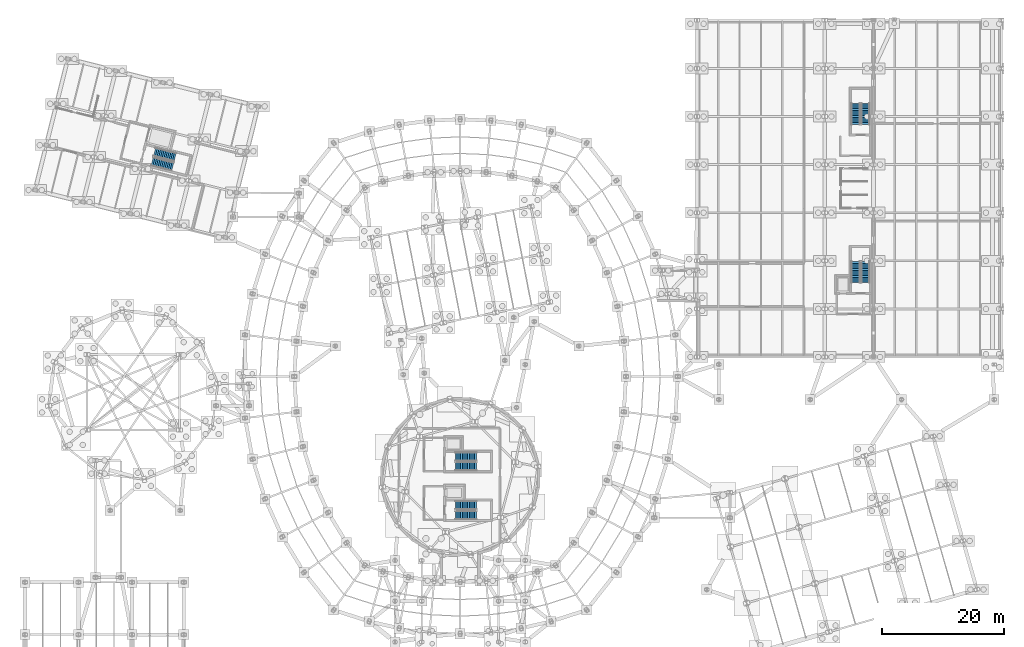
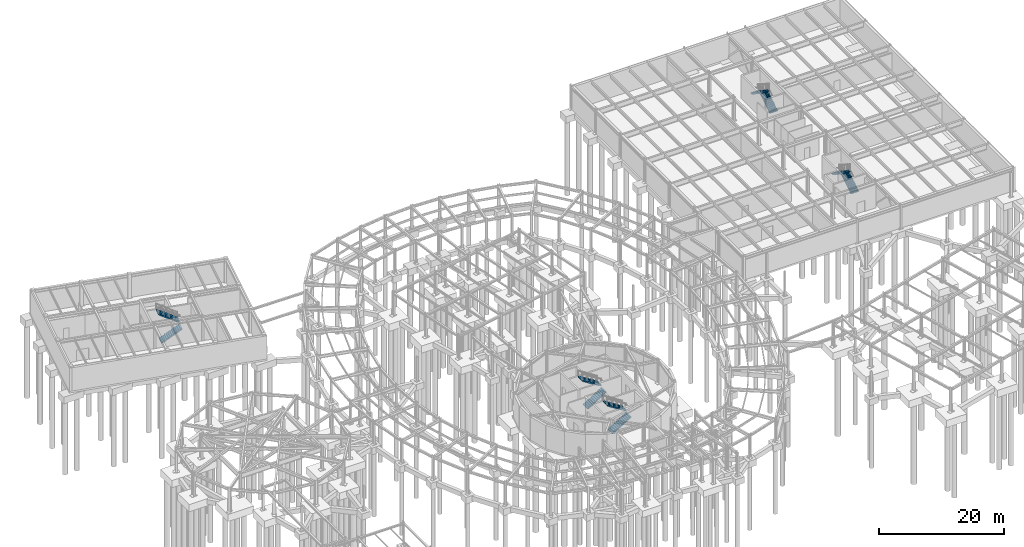
# One storey, part 46 of 50: 10 stair flights, 5 elements without a shape of their own.
"""IFC4 building model written with IfcOpenShell, lengths in metres."""

from ifc_helpers import new_model, si_unit, direction, frame, origin, place, context, subcontext, project, spatial, polyline, outline, extrude, material, type_object, element, aggregate, save


model = new_model("IFC4")

# Units and contexts
model_context = context("Model", 3, precision=1e-05, world=origin(), true_north=direction((0.0, 1.0)))
body_context = subcontext(model_context, "Body", "Model", "MODEL_VIEW")
ifc_project = project(units=[si_unit("LENGTHUNIT", "METRE"), si_unit("AREAUNIT", "SQUARE_METRE"), si_unit("VOLUMEUNIT", "CUBIC_METRE"), si_unit("PLANEANGLEUNIT", "RADIAN"), si_unit("MASSUNIT", "GRAM", prefix="KILO")], contexts=[model_context])

# Site, building, storey
site_placement = place(None, origin())
site = spatial("IfcSite", under=ifc_project, at=site_placement, CompositionType="ELEMENT")
building_placement = place(site_placement, origin())
building = spatial("IfcBuilding", under=site, at=building_placement, Name="Varnklinge Art Gallery", CompositionType="ELEMENT")
storey_placement = place(building_placement, frame((0.0, 0.0, -4.800048828125)))
storey = spatial("IfcBuildingStorey", under=building, at=storey_placement, Name="B01", CompositionType="ELEMENT", Elevation=-4.800048828125)

# Stair, stair flights
ifc_material_1 = material(Name="Concrete C40/50", Category="concrete")
stair_type = type_object("IfcStairType", Name="STR-C4800", PredefinedType="HALF_TURN_STAIR", material=ifc_material_1)
stair_1_placement = place(storey_placement, origin())
stair_1 = element("IfcStair", 1, at=stair_1_placement, inside=storey, type_object=stair_type, Name="B01 Core C1 Stair ST-01", PredefinedType="HALF_TURN_STAIR")
ifc_material_2 = material(Name="Concrete C40/50", Category="concrete")
stair_flight_type = type_object("IfcStairFlightType", Name="FLT-C4800", PredefinedType="STRAIGHT", material=ifc_material_2)
stair_flight_1_placement = place(storey_placement, frame((74.699951171875, 32.22509765625, 0.0), z_axis=(0.0, 0.0, 1.0), x_axis=(1.0, 0.0, 0.0)))
stair_flight_1 = element("IfcStairFlight", 2, at=stair_flight_1_placement, type_object=stair_flight_type, Name="ST-01 flight 1", NumberOfRisers=13, NumberOfTreads=12, PredefinedType="STRAIGHT", RiserHeight=0.184615385, TreadLength=0.29, context=body_context, shape_type="SweptSolid", body=[
    extrude(outline(polyline([(0.0, 0.0), (0.0, 0.1845703125), (0.2900390625, 0.1845703125), (0.2900390625, 0.369140625), (0.580078125, 0.369140625), (0.580078125, 0.553955078125), (0.8701171875, 0.553955078125), (0.8701171875, 0.738525390625), (1.159912109375, 0.738525390625), (1.159912109375, 0.923095703125), (1.449951171875, 0.923095703125), (1.449951171875, 1.107666015625), (1.739990234375, 1.107666015625), (1.739990234375, 1.292236328125), (2.030029296875, 1.292236328125), (2.030029296875, 1.476806640625), (2.320068359375, 1.476806640625), (2.320068359375, 1.66162109375), (2.610107421875, 1.66162109375), (2.610107421875, 1.84619140625), (2.89990234375, 1.84619140625), (2.89990234375, 2.03076171875), (3.18994140625, 2.03076171875), (3.18994140625, 2.21533203125), (3.47998046875, 2.21533203125), (3.47998046875, 2.39990234375), (3.47998046875, 2.02587890625), (0.2978515625, 0.0), (0.0, 0.0)])), frame((0.0, 0.72509765625, 0.0), z_axis=(0.0, -1.0, 0.0), x_axis=(1.0, 0.0, 0.0)), (0.0, 0.0, 1.0), 1.449951171875),
])
stair_flight_2_placement = place(storey_placement, frame((78.179931640625, 33.8349609375, 2.400146484375), z_axis=(0.0, 0.0, 1.0), x_axis=(-1.0, 0.0, 0.0)))
stair_flight_2 = element("IfcStairFlight", 3, at=stair_flight_2_placement, type_object=stair_flight_type, Name="ST-01 flight 2", NumberOfRisers=13, NumberOfTreads=12, PredefinedType="STRAIGHT", RiserHeight=0.184615385, TreadLength=0.29, context=body_context, shape_type="SweptSolid", body=[
    extrude(outline(polyline([(0.0, 0.0), (0.0, 0.1845703125), (0.2900390625, 0.1845703125), (0.2900390625, 0.369140625), (0.580078125, 0.369140625), (0.580078125, 0.553955078125), (0.8701171875, 0.553955078125), (0.8701171875, 0.738525390625), (1.159912109375, 0.738525390625), (1.159912109375, 0.923095703125), (1.449951171875, 0.923095703125), (1.449951171875, 1.107666015625), (1.739990234375, 1.107666015625), (1.739990234375, 1.292236328125), (2.030029296875, 1.292236328125), (2.030029296875, 1.476806640625), (2.320068359375, 1.476806640625), (2.320068359375, 1.66162109375), (2.610107421875, 1.66162109375), (2.610107421875, 1.84619140625), (2.89990234375, 1.84619140625), (2.89990234375, 2.03076171875), (3.18994140625, 2.03076171875), (3.18994140625, 2.21533203125), (3.47998046875, 2.21533203125), (3.47998046875, 2.39990234375), (3.47998046875, 2.02587890625), (0.2978515625, 0.0), (0.0, 0.0)])), frame((0.0, 0.72509765625, 0.0), z_axis=(0.0, -1.0, 0.0), x_axis=(1.0, 0.0, 0.0)), (0.0, 0.0, 1.0), 1.449951171875),
])
aggregate(stair_1, [stair_flight_1, stair_flight_2])

stair_2_placement = place(storey_placement, origin())
stair_2 = element("IfcStair", 4, at=stair_2_placement, inside=storey, type_object=stair_type, Name="B01 Core C2 Stair ST-02", PredefinedType="HALF_TURN_STAIR")
stair_flight_3_placement = place(storey_placement, frame((74.699951171875, 40.22509765625, 0.0), z_axis=(0.0, 0.0, 1.0), x_axis=(1.0, 0.0, 0.0)))
stair_flight_3 = element("IfcStairFlight", 5, at=stair_flight_3_placement, type_object=stair_flight_type, Name="ST-02 flight 1", NumberOfRisers=13, NumberOfTreads=12, PredefinedType="STRAIGHT", RiserHeight=0.184615385, TreadLength=0.29, context=body_context, shape_type="SweptSolid", body=[
    extrude(outline(polyline([(0.0, 0.0), (0.0, 0.1845703125), (0.2900390625, 0.1845703125), (0.2900390625, 0.369140625), (0.580078125, 0.369140625), (0.580078125, 0.553955078125), (0.8701171875, 0.553955078125), (0.8701171875, 0.738525390625), (1.159912109375, 0.738525390625), (1.159912109375, 0.923095703125), (1.449951171875, 0.923095703125), (1.449951171875, 1.107666015625), (1.739990234375, 1.107666015625), (1.739990234375, 1.292236328125), (2.030029296875, 1.292236328125), (2.030029296875, 1.476806640625), (2.320068359375, 1.476806640625), (2.320068359375, 1.66162109375), (2.610107421875, 1.66162109375), (2.610107421875, 1.84619140625), (2.89990234375, 1.84619140625), (2.89990234375, 2.03076171875), (3.18994140625, 2.03076171875), (3.18994140625, 2.21533203125), (3.47998046875, 2.21533203125), (3.47998046875, 2.39990234375), (3.47998046875, 2.02587890625), (0.2978515625, 0.0), (0.0, 0.0)])), frame((0.0, 0.72509765625, 0.0), z_axis=(0.0, -1.0, 0.0), x_axis=(1.0, 0.0, 0.0)), (0.0, 0.0, 1.0), 1.449951171875),
])
stair_flight_4_placement = place(storey_placement, frame((78.179931640625, 41.8349609375, 2.400146484375), z_axis=(0.0, 0.0, 1.0), x_axis=(-1.0, 0.0, 0.0)))
stair_flight_4 = element("IfcStairFlight", 6, at=stair_flight_4_placement, type_object=stair_flight_type, Name="ST-02 flight 2", NumberOfRisers=13, NumberOfTreads=12, PredefinedType="STRAIGHT", RiserHeight=0.184615385, TreadLength=0.29, context=body_context, shape_type="SweptSolid", body=[
    extrude(outline(polyline([(0.0, 0.0), (0.0, 0.1845703125), (0.2900390625, 0.1845703125), (0.2900390625, 0.369140625), (0.580078125, 0.369140625), (0.580078125, 0.553955078125), (0.8701171875, 0.553955078125), (0.8701171875, 0.738525390625), (1.159912109375, 0.738525390625), (1.159912109375, 0.923095703125), (1.449951171875, 0.923095703125), (1.449951171875, 1.107666015625), (1.739990234375, 1.107666015625), (1.739990234375, 1.292236328125), (2.030029296875, 1.292236328125), (2.030029296875, 1.476806640625), (2.320068359375, 1.476806640625), (2.320068359375, 1.66162109375), (2.610107421875, 1.66162109375), (2.610107421875, 1.84619140625), (2.89990234375, 1.84619140625), (2.89990234375, 2.03076171875), (3.18994140625, 2.03076171875), (3.18994140625, 2.21533203125), (3.47998046875, 2.21533203125), (3.47998046875, 2.39990234375), (3.47998046875, 2.02587890625), (0.2978515625, 0.0), (0.0, 0.0)])), frame((0.0, 0.72509765625, 0.0), z_axis=(0.0, -1.0, 0.0), x_axis=(1.0, 0.0, 0.0)), (0.0, 0.0, 1.0), 1.449951171875),
])
aggregate(stair_2, [stair_flight_3, stair_flight_4])

stair_3_placement = place(storey_placement, origin())
stair_3 = element("IfcStair", 7, at=stair_3_placement, inside=storey, type_object=stair_type, Name="B01 Core C3 Stair ST-03", PredefinedType="HALF_TURN_STAIR")
stair_flight_5_placement = place(storey_placement, frame((142.074951171875, 70.39990234375, 0.0), z_axis=(0.0, 0.0, 1.0), x_axis=(0.0, 1.0, 0.0)))
stair_flight_5 = element("IfcStairFlight", 8, at=stair_flight_5_placement, type_object=stair_flight_type, Name="ST-03 flight 1", NumberOfRisers=13, NumberOfTreads=12, PredefinedType="STRAIGHT", RiserHeight=0.184615385, TreadLength=0.29, context=body_context, shape_type="SweptSolid", body=[
    extrude(outline(polyline([(0.0, 0.0), (0.0, 0.1845703125), (0.2900390625, 0.1845703125), (0.2900390625, 0.369140625), (0.580078125, 0.369140625), (0.580078125, 0.553955078125), (0.8701171875, 0.553955078125), (0.8701171875, 0.738525390625), (1.159912109375, 0.738525390625), (1.159912109375, 0.923095703125), (1.449951171875, 0.923095703125), (1.449951171875, 1.107666015625), (1.739990234375, 1.107666015625), (1.739990234375, 1.292236328125), (2.030029296875, 1.292236328125), (2.030029296875, 1.476806640625), (2.320068359375, 1.476806640625), (2.320068359375, 1.66162109375), (2.610107421875, 1.66162109375), (2.610107421875, 1.84619140625), (2.89990234375, 1.84619140625), (2.89990234375, 2.03076171875), (3.18994140625, 2.03076171875), (3.18994140625, 2.21533203125), (3.47998046875, 2.21533203125), (3.47998046875, 2.39990234375), (3.47998046875, 2.02587890625), (0.2978515625, 0.0), (0.0, 0.0)])), frame((0.0, 0.72509765625, 0.0), z_axis=(0.0, -1.0, 0.0), x_axis=(1.0, 0.0, 0.0)), (0.0, 0.0, 1.0), 1.449951171875),
])
stair_flight_6_placement = place(storey_placement, frame((140.465087890625, 73.8798828125, 2.400146484375), z_axis=(0.0, 0.0, 1.0), x_axis=(0.0, -1.0, 0.0)))
stair_flight_6 = element("IfcStairFlight", 9, at=stair_flight_6_placement, type_object=stair_flight_type, Name="ST-03 flight 2", NumberOfRisers=13, NumberOfTreads=12, PredefinedType="STRAIGHT", RiserHeight=0.184615385, TreadLength=0.29, context=body_context, shape_type="SweptSolid", body=[
    extrude(outline(polyline([(0.0, 0.0), (0.0, 0.1845703125), (0.2900390625, 0.1845703125), (0.2900390625, 0.369140625), (0.580078125, 0.369140625), (0.580078125, 0.553955078125), (0.8701171875, 0.553955078125), (0.8701171875, 0.738525390625), (1.159912109375, 0.738525390625), (1.159912109375, 0.923095703125), (1.449951171875, 0.923095703125), (1.449951171875, 1.107666015625), (1.739990234375, 1.107666015625), (1.739990234375, 1.292236328125), (2.030029296875, 1.292236328125), (2.030029296875, 1.476806640625), (2.320068359375, 1.476806640625), (2.320068359375, 1.66162109375), (2.610107421875, 1.66162109375), (2.610107421875, 1.84619140625), (2.89990234375, 1.84619140625), (2.89990234375, 2.03076171875), (3.18994140625, 2.03076171875), (3.18994140625, 2.21533203125), (3.47998046875, 2.21533203125), (3.47998046875, 2.39990234375), (3.47998046875, 2.02587890625), (0.2978515625, 0.0), (0.0, 0.0)])), frame((0.0, 0.72509765625, 0.0), z_axis=(0.0, -1.0, 0.0), x_axis=(1.0, 0.0, 0.0)), (0.0, 0.0, 1.0), 1.449951171875),
])
aggregate(stair_3, [stair_flight_5, stair_flight_6])

stair_4_placement = place(storey_placement, origin())
stair_4 = element("IfcStair", 10, at=stair_4_placement, inside=storey, type_object=stair_type, Name="B01 Core C4 Stair ST-04", PredefinedType="HALF_TURN_STAIR")
stair_flight_7_placement = place(storey_placement, frame((24.911865234375, 90.300537109375, 0.0), z_axis=(0.0, 0.0, 1.0), x_axis=(0.970295726276, -0.2419218956, 0.0)))
stair_flight_7 = element("IfcStairFlight", 11, at=stair_flight_7_placement, type_object=stair_flight_type, Name="ST-04 flight 1", NumberOfRisers=13, NumberOfTreads=12, PredefinedType="STRAIGHT", RiserHeight=0.184615385, TreadLength=0.29, context=body_context, shape_type="SweptSolid", body=[
    extrude(outline(polyline([(0.0, 0.0), (0.0, 0.1845703125), (0.2900390625, 0.1845703125), (0.2900390625, 0.369140625), (0.580078125, 0.369140625), (0.580078125, 0.553955078125), (0.8701171875, 0.553955078125), (0.8701171875, 0.738525390625), (1.159912109375, 0.738525390625), (1.159912109375, 0.923095703125), (1.449951171875, 0.923095703125), (1.449951171875, 1.107666015625), (1.739990234375, 1.107666015625), (1.739990234375, 1.292236328125), (2.030029296875, 1.292236328125), (2.030029296875, 1.476806640625), (2.320068359375, 1.476806640625), (2.320068359375, 1.66162109375), (2.610107421875, 1.66162109375), (2.610107421875, 1.84619140625), (2.89990234375, 1.84619140625), (2.89990234375, 2.03076171875), (3.18994140625, 2.03076171875), (3.18994140625, 2.21533203125), (3.47998046875, 2.21533203125), (3.47998046875, 2.39990234375), (3.47998046875, 2.02587890625), (0.2978515625, 0.0), (0.0, 0.0)])), frame((0.0, 0.72509765625, 0.0), z_axis=(0.0, -1.0, 0.0), x_axis=(1.0, 0.0, 0.0)), (0.0, 0.0, 1.0), 1.449951171875),
])
stair_flight_8_placement = place(storey_placement, frame((28.677978515625, 91.02099609375, 2.400146484375), z_axis=(0.0, 0.0, 1.0), x_axis=(-0.970295726276, 0.2419218956, 0.0)))
stair_flight_8 = element("IfcStairFlight", 12, at=stair_flight_8_placement, type_object=stair_flight_type, Name="ST-04 flight 2", NumberOfRisers=13, NumberOfTreads=12, PredefinedType="STRAIGHT", RiserHeight=0.184615385, TreadLength=0.29, context=body_context, shape_type="SweptSolid", body=[
    extrude(outline(polyline([(0.0, 0.0), (0.0, 0.1845703125), (0.2900390625, 0.1845703125), (0.2900390625, 0.369140625), (0.580078125, 0.369140625), (0.580078125, 0.553955078125), (0.8701171875, 0.553955078125), (0.8701171875, 0.738525390625), (1.159912109375, 0.738525390625), (1.159912109375, 0.923095703125), (1.449951171875, 0.923095703125), (1.449951171875, 1.107666015625), (1.739990234375, 1.107666015625), (1.739990234375, 1.292236328125), (2.030029296875, 1.292236328125), (2.030029296875, 1.476806640625), (2.320068359375, 1.476806640625), (2.320068359375, 1.66162109375), (2.610107421875, 1.66162109375), (2.610107421875, 1.84619140625), (2.89990234375, 1.84619140625), (2.89990234375, 2.03076171875), (3.18994140625, 2.03076171875), (3.18994140625, 2.21533203125), (3.47998046875, 2.21533203125), (3.47998046875, 2.39990234375), (3.47998046875, 2.02587890625), (0.2978515625, 0.0), (0.0, 0.0)])), frame((0.0, 0.72509765625, 0.0), z_axis=(0.0, -1.0, 0.0), x_axis=(1.0, 0.0, 0.0)), (0.0, 0.0, 1.0), 1.449951171875),
])
aggregate(stair_4, [stair_flight_7, stair_flight_8])

stair_5_placement = place(storey_placement, origin())
stair_5 = element("IfcStair", 13, at=stair_5_placement, inside=storey, type_object=stair_type, Name="B01 Core C7 Stair ST-07", PredefinedType="HALF_TURN_STAIR")
stair_flight_9_placement = place(storey_placement, frame((142.074951171875, 96.39990234375, 0.0), z_axis=(0.0, 0.0, 1.0), x_axis=(0.0, 1.0, 0.0)))
stair_flight_9 = element("IfcStairFlight", 14, at=stair_flight_9_placement, type_object=stair_flight_type, Name="ST-07 flight 1", NumberOfRisers=13, NumberOfTreads=12, PredefinedType="STRAIGHT", RiserHeight=0.184615385, TreadLength=0.29, context=body_context, shape_type="SweptSolid", body=[
    extrude(outline(polyline([(0.0, 0.0), (0.0, 0.1845703125), (0.2900390625, 0.1845703125), (0.2900390625, 0.369140625), (0.580078125, 0.369140625), (0.580078125, 0.553955078125), (0.8701171875, 0.553955078125), (0.8701171875, 0.738525390625), (1.159912109375, 0.738525390625), (1.159912109375, 0.923095703125), (1.449951171875, 0.923095703125), (1.449951171875, 1.107666015625), (1.739990234375, 1.107666015625), (1.739990234375, 1.292236328125), (2.030029296875, 1.292236328125), (2.030029296875, 1.476806640625), (2.320068359375, 1.476806640625), (2.320068359375, 1.66162109375), (2.610107421875, 1.66162109375), (2.610107421875, 1.84619140625), (2.89990234375, 1.84619140625), (2.89990234375, 2.03076171875), (3.18994140625, 2.03076171875), (3.18994140625, 2.21533203125), (3.47998046875, 2.21533203125), (3.47998046875, 2.39990234375), (3.47998046875, 2.02587890625), (0.2978515625, 0.0), (0.0, 0.0)])), frame((0.0, 0.72509765625, 0.0), z_axis=(0.0, -1.0, 0.0), x_axis=(1.0, 0.0, 0.0)), (0.0, 0.0, 1.0), 1.449951171875),
])
stair_flight_10_placement = place(storey_placement, frame((140.465087890625, 99.8798828125, 2.400146484375), z_axis=(0.0, 0.0, 1.0), x_axis=(0.0, -1.0, 0.0)))
stair_flight_10 = element("IfcStairFlight", 15, at=stair_flight_10_placement, type_object=stair_flight_type, Name="ST-07 flight 2", NumberOfRisers=13, NumberOfTreads=12, PredefinedType="STRAIGHT", RiserHeight=0.184615385, TreadLength=0.29, context=body_context, shape_type="SweptSolid", body=[
    extrude(outline(polyline([(0.0, 0.0), (0.0, 0.1845703125), (0.2900390625, 0.1845703125), (0.2900390625, 0.369140625), (0.580078125, 0.369140625), (0.580078125, 0.553955078125), (0.8701171875, 0.553955078125), (0.8701171875, 0.738525390625), (1.159912109375, 0.738525390625), (1.159912109375, 0.923095703125), (1.449951171875, 0.923095703125), (1.449951171875, 1.107666015625), (1.739990234375, 1.107666015625), (1.739990234375, 1.292236328125), (2.030029296875, 1.292236328125), (2.030029296875, 1.476806640625), (2.320068359375, 1.476806640625), (2.320068359375, 1.66162109375), (2.610107421875, 1.66162109375), (2.610107421875, 1.84619140625), (2.89990234375, 1.84619140625), (2.89990234375, 2.03076171875), (3.18994140625, 2.03076171875), (3.18994140625, 2.21533203125), (3.47998046875, 2.21533203125), (3.47998046875, 2.39990234375), (3.47998046875, 2.02587890625), (0.2978515625, 0.0), (0.0, 0.0)])), frame((0.0, 0.72509765625, 0.0), z_axis=(0.0, -1.0, 0.0), x_axis=(1.0, 0.0, 0.0)), (0.0, 0.0, 1.0), 1.449951171875),
])
aggregate(stair_5, [stair_flight_9, stair_flight_10])

save(model, "model.ifc")
